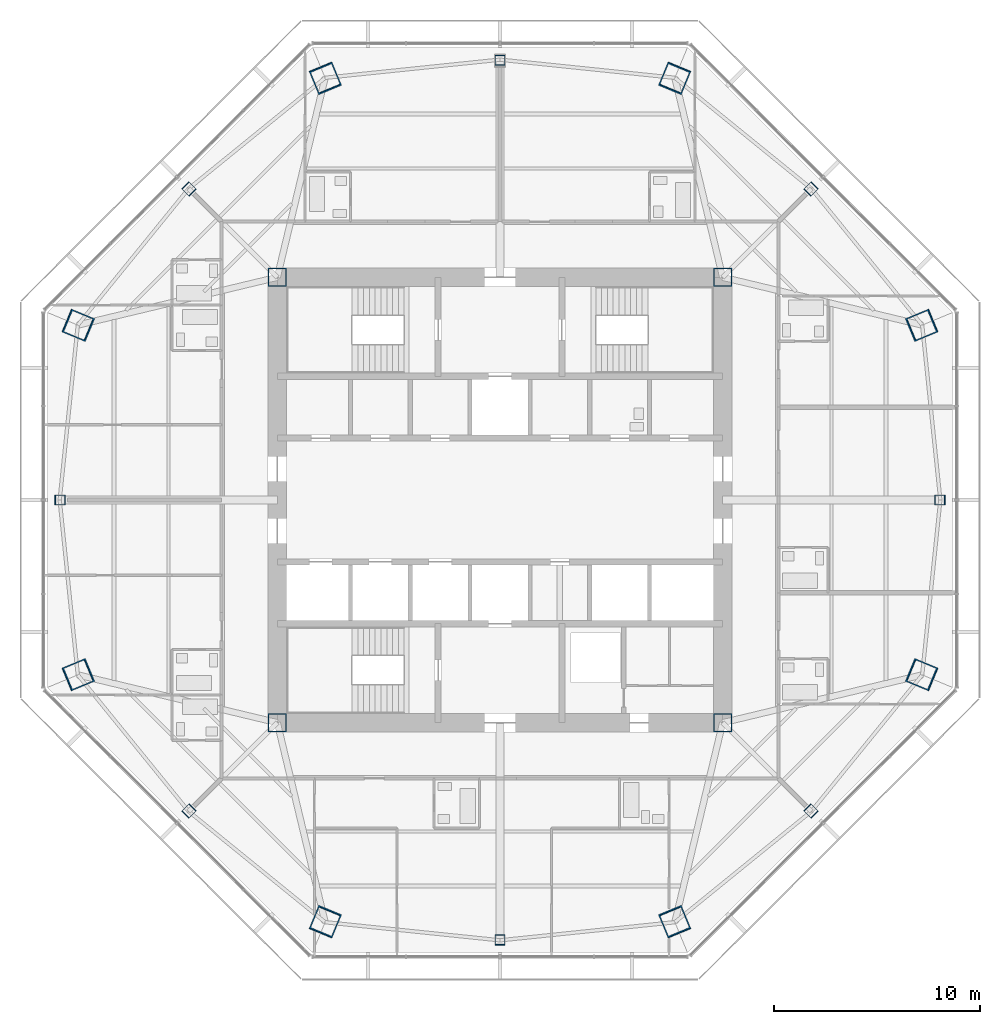
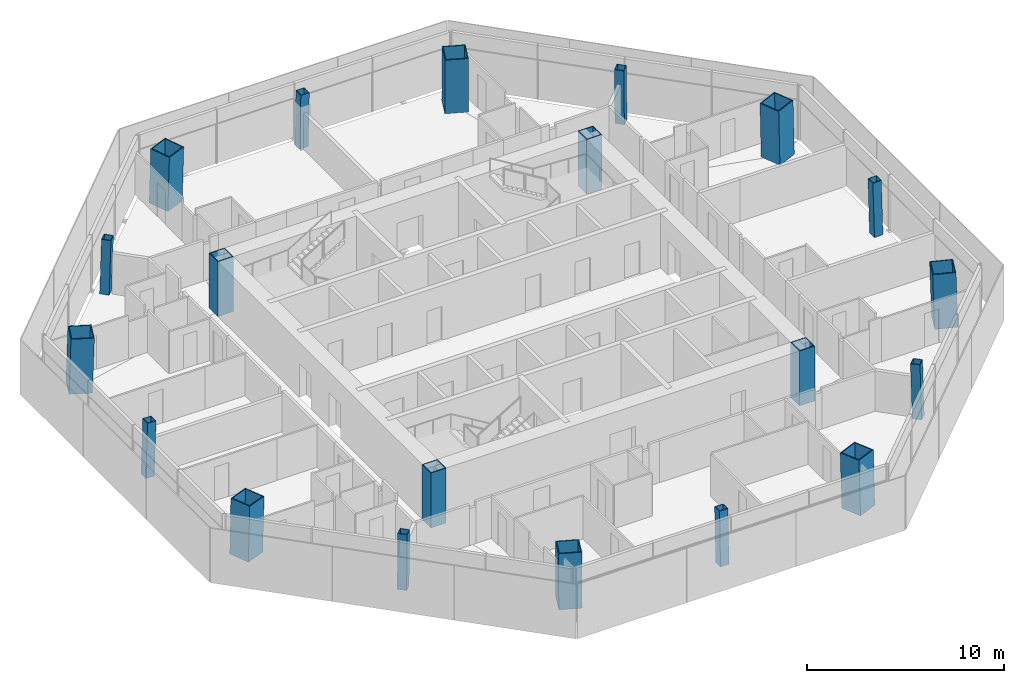
# One storey, part 1 of 15: 20 columns.
"""IFC4 building model written with IfcOpenShell, lengths in metres."""

from ifc_helpers import new_model, si_unit, direction, frame, origin, origin_2d, place, context, subcontext, project, spatial, hollow_rectangle, extrude, material, material_profile, profile_set, type_object, element, save


model = new_model("IFC4")

# Units and contexts
model_context = context("Model", 3, precision=1e-05, world=origin(), true_north=direction((0.0, 1.0)))
body_context = subcontext(model_context, "Body", "Model", "MODEL_VIEW")
ifc_project = project(units=[si_unit("LENGTHUNIT", "METRE"), si_unit("AREAUNIT", "SQUARE_METRE"), si_unit("VOLUMEUNIT", "CUBIC_METRE"), si_unit("PLANEANGLEUNIT", "RADIAN"), si_unit("MASSUNIT", "GRAM", prefix="KILO")], contexts=[model_context])

# Site, building, storey
site_placement = place(None, origin())
site = spatial("IfcSite", under=ifc_project, at=site_placement, CompositionType="ELEMENT")
building_placement = place(site_placement, origin())
building = spatial("IfcBuilding", under=site, at=building_placement, Name="Mashrafa Tower", CompositionType="ELEMENT")
storey_placement = place(building_placement, frame((0.0, 0.0, 207.39990234375)))
storey = spatial("IfcBuildingStorey", under=building, at=storey_placement, Name="L47", CompositionType="ELEMENT", Elevation=207.39990234375)

# Columns
ifc_material_1 = material(Name="Steel ASTM A572 Gr 50", Category="steel")
ifc_material_profile_1 = material_profile(ifc_material_1, hollow_rectangle(XDim=0.89990234375, YDim=0.89990234375, WallThickness=0.050048828125, at=origin_2d()), Name="BOX900X900X50")
ifc_profile_set_1 = profile_set([ifc_material_profile_1], Name="Steel ASTM A572 Gr 50")
column_type_1 = type_object("IfcColumnType", Name="Core corner column BOX900X900X50", PredefinedType="COLUMN", material=ifc_profile_set_1)
for number, where, z_axis, x_axis, name in (
    (1, (10.800048828125, 10.800048828125, 0.0), (0.0, 0.0, 1.0), (1.0, 0.0, 0.0), "Core corner column CC-NE L47"),
    (2, (-10.800048828125, 10.800048828125, 0.0), (0.0, 0.0, 1.0), (1.0, 0.0, 0.0), "Core corner column CC-NW L47"),
    (3, (-10.800048828125, -10.800048828125, 0.0), (0.0, 0.0, 1.0), (1.0, 0.0, 0.0), "Core corner column CC-SW L47"),
    (4, (10.800048828125, -10.800048828125, 0.0), (0.0, 0.0, 1.0), (1.0, 0.0, 0.0), "Core corner column CC-SE L47"),
):
    element("IfcColumn", number, at=place(storey_placement, frame(where, z_axis=z_axis, x_axis=x_axis)), inside=storey, type_object=column_type_1, Name=name, PredefinedType="COLUMN", context=body_context, shape_type="SweptSolid", body=[
        extrude(hollow_rectangle(XDim=0.89990234375, YDim=0.89990234375, WallThickness=0.050048828125, at=origin_2d()), origin(), (0.0, 0.0, 1.0), 3.400146484375),
    ])
ifc_material_2 = material(Name="Steel ASTM A572 Gr 50", Category="steel")
ifc_material_profile_2 = material_profile(ifc_material_2, hollow_rectangle(XDim=1.199951171875, YDim=1.199951171875, WallThickness=0.054931640625, at=origin_2d()), Name="BOX1200X1200X55")
ifc_profile_set_2 = profile_set([ifc_material_profile_2], Name="Steel ASTM A572 Gr 50")
column_type_2 = type_object("IfcColumnType", Name="Mega column CFST BOX1200X1200X55", PredefinedType="COLUMN", material=ifc_profile_set_2)
for number, where, z_axis, x_axis, name in (
    (5, (20.469482421875, 8.478759765625, 0.0), (-0.028277121884, -0.011698403216, 0.999531666202), (0.382282742426, -0.924045401938, 0.0), "Mega column MC1 L47"),
    (6, (8.478759765625, 20.469482421875, 0.0), (-0.011698403216, -0.028277121884, 0.999531666202), (0.924045401938, -0.382282742426, 0.0), "Mega column MC2 L47"),
    (7, (-8.478759765625, 20.469482421875, 0.0), (0.011698403216, -0.028277121884, 0.999531666202), (0.924045401938, 0.382282742426, 0.0), "Mega column MC3 L47"),
    (8, (-20.469482421875, 8.478759765625, 0.0), (0.028277121884, -0.011698403216, 0.999531666202), (0.382282742426, 0.924045401938, 0.0), "Mega column MC4 L47"),
    (9, (-20.469482421875, -8.478759765625, 0.0), (0.028277121884, 0.011698403216, 0.999531666202), (-0.382282742426, 0.924045401938, 0.0), "Mega column MC5 L47"),
    (10, (-8.478759765625, -20.469482421875, 0.0), (0.011698403216, 0.028277121884, 0.999531666202), (-0.924045401938, 0.382282742426, 0.0), "Mega column MC6 L47"),
    (11, (8.478759765625, -20.469482421875, 0.0), (-0.011698403216, 0.028277121884, 0.999531666202), (-0.924045401938, -0.382282742426, 0.0), "Mega column MC7 L47"),
    (12, (20.469482421875, -8.478759765625, 0.0), (-0.028277121884, 0.011698403216, 0.999531666202), (-0.382282742426, -0.924045401938, 0.0), "Mega column MC8 L47"),
):
    element("IfcColumn", number, at=place(storey_placement, frame(where, z_axis=z_axis, x_axis=x_axis)), inside=storey, type_object=column_type_2, Name=name, PredefinedType="COLUMN", context=body_context, shape_type="SweptSolid", body=[
        extrude(hollow_rectangle(XDim=1.199951171875, YDim=1.199951171875, WallThickness=0.054931640625, at=origin_2d()), origin(), (0.0, 0.0, 1.0), 3.40185546875),
    ])
ifc_material_3 = material(Name="Steel ASTM A572 Gr 50", Category="steel")
ifc_material_profile_3 = material_profile(ifc_material_3, hollow_rectangle(XDim=0.5, YDim=0.5, WallThickness=0.02490234375, at=origin_2d()), Name="BOX500X500X25")
ifc_profile_set_3 = profile_set([ifc_material_profile_3], Name="Steel ASTM A572 Gr 50")
column_type_3 = type_object("IfcColumnType", Name="Secondary column BOX500X500X25", PredefinedType="COLUMN", material=ifc_profile_set_3)
for number, where, z_axis, x_axis, name in (
    (13, (21.34765625, 0.0, 0.0), (-0.028279056982, 0.0, 0.999600067495), (0.0, -1.0, 0.0), "Secondary column SC1 L47"),
    (14, (15.094970703125, 15.094970703125, 0.0), (-0.019953277583, -0.019953277583, 0.999601787427), (0.707106781187, -0.707106781187, 0.0), "Secondary column SC2 L47"),
    (15, (0.0, 21.34765625, 0.0), (0.0, -0.028279056982, 0.999600067495), (1.0, 0.0, 0.0), "Secondary column SC3 L47"),
    (16, (-15.094970703125, 15.094970703125, 0.0), (0.019953277583, -0.019953277583, 0.999601787427), (0.707106781187, 0.707106781187, 0.0), "Secondary column SC4 L47"),
    (17, (-21.34765625, 0.0, 0.0), (0.028279056982, 0.0, 0.999600067495), (0.0, 1.0, 0.0), "Secondary column SC5 L47"),
    (18, (-15.094970703125, -15.094970703125, 0.0), (0.019953277583, 0.019953277583, 0.999601787427), (-0.707106781187, 0.707106781187, 0.0), "Secondary column SC6 L47"),
    (19, (0.0, -21.34765625, 0.0), (0.0, 0.028279056982, 0.999600067495), (-1.0, 0.0, 0.0), "Secondary column SC7 L47"),
    (20, (15.094970703125, -15.094970703125, 0.0), (-0.019953277583, 0.019953277583, 0.999601787427), (-0.707106781187, -0.707106781187, 0.0), "Secondary column SC8 L47"),
):
    element("IfcColumn", number, at=place(storey_placement, frame(where, z_axis=z_axis, x_axis=x_axis)), inside=storey, type_object=column_type_3, Name=name, PredefinedType="COLUMN", context=body_context, shape_type="SweptSolid", body=[
        extrude(hollow_rectangle(XDim=0.5, YDim=0.5, WallThickness=0.02490234375, at=origin_2d()), origin(), (0.0, 0.0, 1.0), 3.401611328125),
    ])

save(model, "model.ifc")
